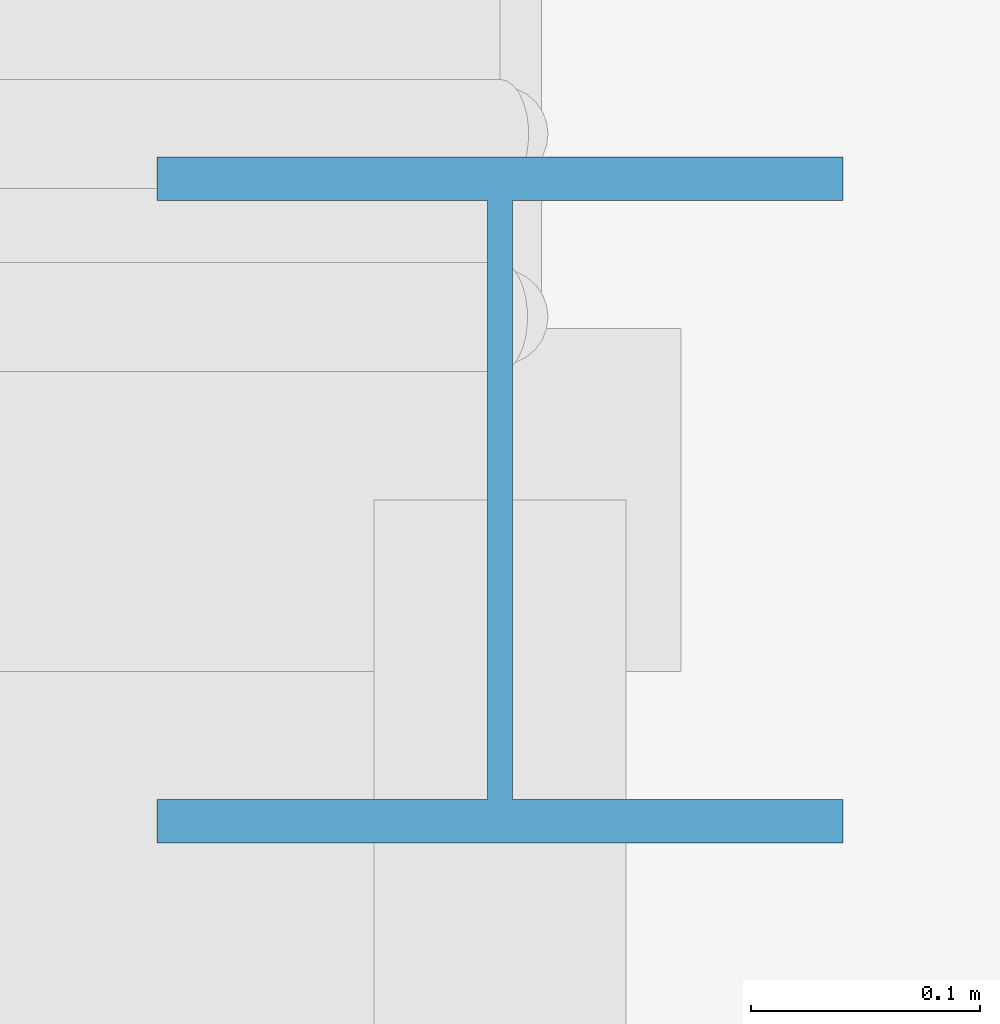
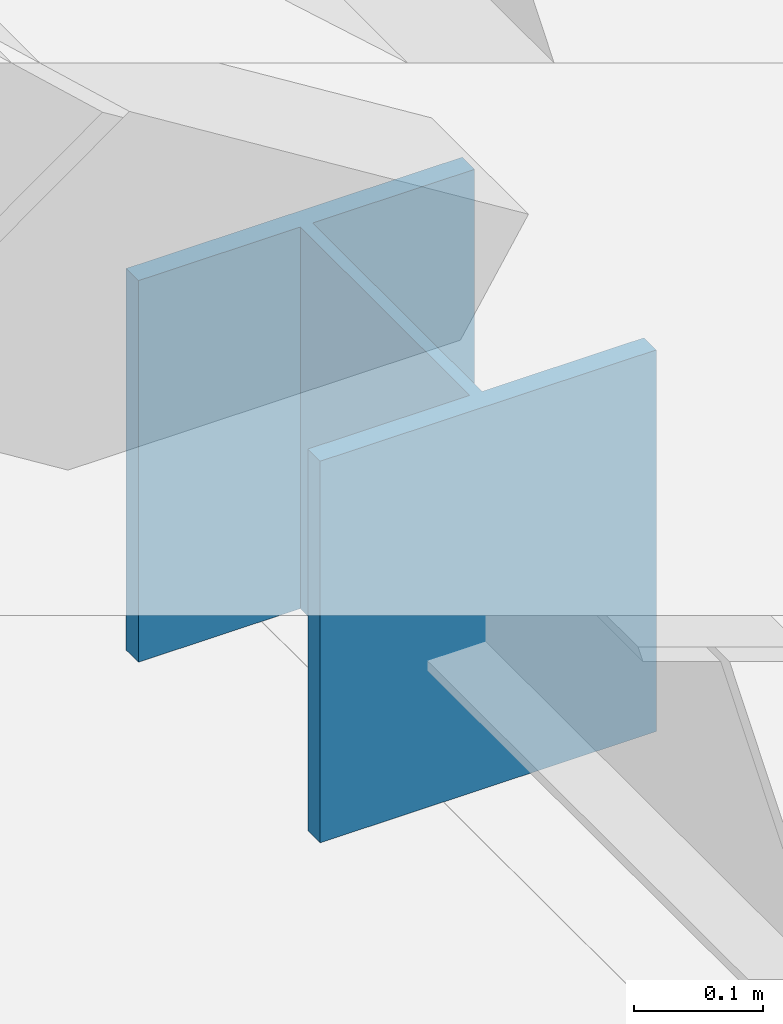
# One storey, part 37 of 115: 1 column.
"""IFC4 building model written with IfcOpenShell, lengths in metres."""

from ifc_helpers import new_model, si_unit, direction, frame, origin, origin_2d, place, context, subcontext, project, spatial, i_section, extrude, material, material_profile, profile_set, type_object, element, save


model = new_model("IFC4")

# Units and contexts
model_context = context("Model", 3, precision=1e-05, world=origin(), true_north=direction((0.0, 1.0)))
body_context = subcontext(model_context, "Body", "Model", "MODEL_VIEW")
ifc_project = project(units=[si_unit("LENGTHUNIT", "METRE"), si_unit("AREAUNIT", "SQUARE_METRE"), si_unit("VOLUMEUNIT", "CUBIC_METRE"), si_unit("PLANEANGLEUNIT", "RADIAN"), si_unit("MASSUNIT", "GRAM", prefix="KILO")], contexts=[model_context])

# Site, building, storey
site_placement = place(None, origin())
site = spatial("IfcSite", under=ifc_project, at=site_placement, CompositionType="ELEMENT")
building_placement = place(site_placement, origin())
building = spatial("IfcBuilding", under=site, at=building_placement, Name="Tamarisk Ironworks Central Station", CompositionType="ELEMENT")
storey_placement = place(building_placement, origin())
storey = spatial("IfcBuildingStorey", under=building, at=storey_placement, Name="L00", CompositionType="ELEMENT", Elevation=0.0)

# Column
ifc_material = material(Name="Structural steel S355J2", Category="steel")
ifc_material_profile = material_profile(ifc_material, i_section(OverallWidth=0.300048828125, OverallDepth=0.300048828125, WebThickness=0.010986328125, FlangeThickness=0.01904296875, at=origin_2d()), Name="HEB 300")
ifc_profile_set = profile_set([ifc_material_profile], Name="Structural steel S355J2")
column_type = type_object("IfcColumnType", Name="COL-S12", PredefinedType="COLUMN", material=ifc_profile_set)
column_placement = place(storey_placement, frame((104.239990234375, 65.679931640625, 0.0), z_axis=(0.0, 0.0, 1.0), x_axis=(1.0, 0.0, 0.0)))
element("IfcColumn", 1, at=column_placement, inside=storey, type_object=column_type, Name="ST-P4B bottom stringer support post N", PredefinedType="COLUMN", context=body_context, shape_type="SweptSolid", body=[
    extrude(i_section(OverallWidth=0.300048828125, OverallDepth=0.300048828125, WebThickness=0.010986328125, FlangeThickness=0.01904296875, at=origin_2d()), origin(), (0.0, 0.0, 1.0), 0.360107421875),
])

save(model, "model.ifc")
